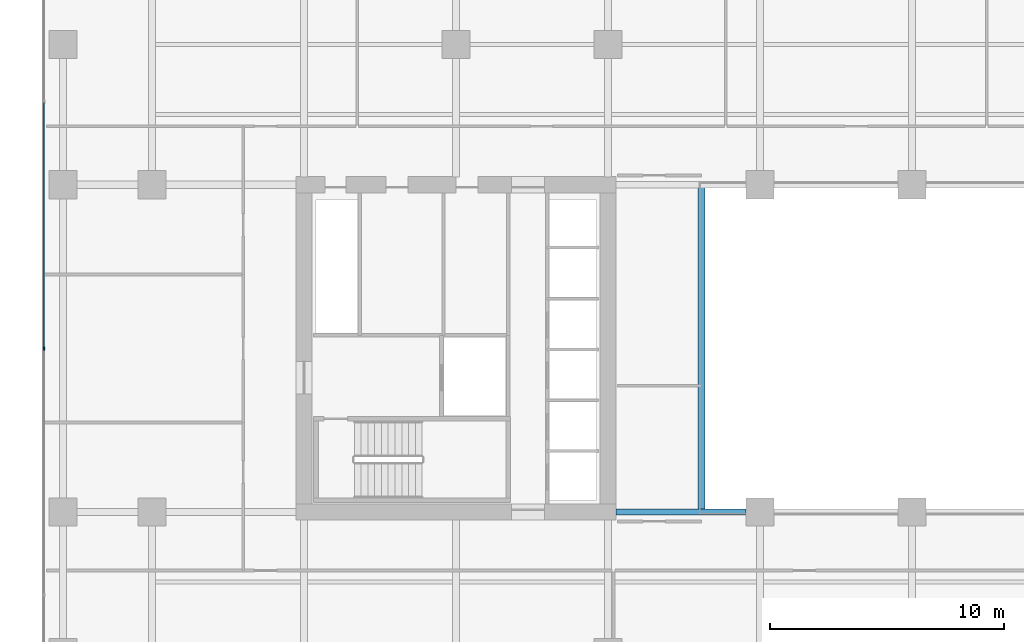
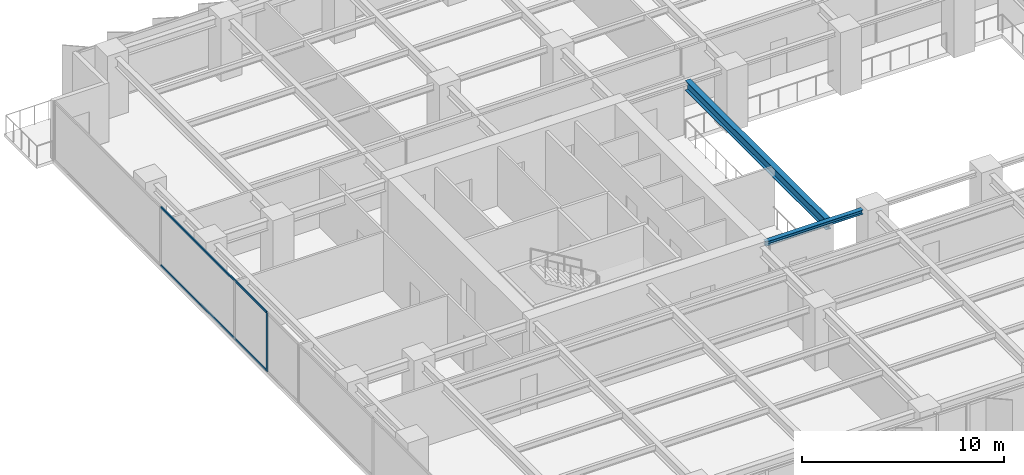
# One storey, part 4 of 19: 3 members, 2 beams, 1 element without a shape of its own.
"""IFC4 building model written with IfcOpenShell, lengths in metres."""

from ifc_helpers import new_model, si_unit, direction, frame, origin, origin_2d, place, context, subcontext, project, spatial, rectangle, i_section, extrude, material, layer, layer_set, material_profile, profile_set, type_object, element, aggregate, save


model = new_model("IFC4")

# Units and contexts
model_context = context("Model", 3, precision=1e-05, world=origin(), true_north=direction((0.0, 1.0)))
body_context = subcontext(model_context, "Body", "Model", "MODEL_VIEW")
ifc_project = project(units=[si_unit("LENGTHUNIT", "METRE"), si_unit("AREAUNIT", "SQUARE_METRE"), si_unit("VOLUMEUNIT", "CUBIC_METRE"), si_unit("PLANEANGLEUNIT", "RADIAN"), si_unit("MASSUNIT", "GRAM", prefix="KILO")], contexts=[model_context])

# Site, building, storey
site_placement = place(None, origin())
site = spatial("IfcSite", under=ifc_project, at=site_placement, CompositionType="ELEMENT")
building_placement = place(site_placement, origin())
building = spatial("IfcBuilding", under=site, at=building_placement, Name="Putna Gate Headquarters", CompositionType="ELEMENT")
storey_placement = place(building_placement, frame((0.0, 0.0, 86.0)))
storey = spatial("IfcBuildingStorey", under=building, at=storey_placement, Name="L20", CompositionType="ELEMENT", Elevation=86.0)

# Beams
ifc_material_1 = material(Name="Steel S355J2", Category="steel")
ifc_material_profile_1 = material_profile(ifc_material_1, i_section(OverallWidth=0.260009765625, OverallDepth=0.260009765625, WebThickness=0.010009765625, FlangeThickness=0.017578125, at=origin_2d()), Name="Steel S355J2")
ifc_profile_set_1 = profile_set([ifc_material_profile_1], Name="Steel S355J2")
beam_type_1 = type_object("IfcBeamType", Name="BM-ATRIUM-HEB260", PredefinedType="BEAM", material=ifc_profile_set_1)
beam_1_placement = place(storey_placement, frame((26.3349609375, 19.0, 3.43505859375), z_axis=(1.0, 0.0, 0.0), x_axis=(0.0, 1.0, 0.0)))
element("IfcBeam", 1, at=beam_1_placement, inside=storey, type_object=beam_type_1, Name="L20 Atrium Edge Beam AS1", PredefinedType="BEAM", context=body_context, shape_type="SweptSolid", body=[
    extrude(i_section(OverallWidth=0.260009765625, OverallDepth=0.260009765625, WebThickness=0.010009765625, FlangeThickness=0.017578125, at=origin_2d()), origin(), (0.0, 0.0, 1.0), 5.5771484375),
])
ifc_material_profile_2 = material_profile(ifc_material_1, i_section(OverallWidth=0.300048828125, OverallDepth=0.60009765625, WebThickness=0.015380859375, FlangeThickness=0.030029296875, at=origin_2d()), Name="Steel S355J2")
ifc_profile_set_2 = profile_set([ifc_material_profile_2], Name="Steel S355J2")
beam_type_2 = type_object("IfcBeamType", Name="BM-GIRD-Z2-HEB600", PredefinedType="USERDEFINED", material=ifc_profile_set_2)
beam_2_placement = place(storey_placement, frame((30.0, 19.010009765625, 3.264892578125), z_axis=(0.0, 1.0, 0.0), x_axis=(-1.0, 0.0, 0.0)))
element("IfcBeam", 2, at=beam_2_placement, inside=storey, type_object=beam_type_2, Name="L20 Atrium Trim Girder AW", ObjectType="GIRDER", PredefinedType="USERDEFINED", context=body_context, shape_type="SweptSolid", body=[
    extrude(i_section(OverallWidth=0.300048828125, OverallDepth=0.60009765625, WebThickness=0.015380859375, FlangeThickness=0.030029296875, at=origin_2d()), origin(), (0.0, 0.0, 1.0), 13.97998046875),
])

# Curtain wall, members
ifc_material_2 = material(Name="Anodised bronze aluminium curtain wall", Category="aluminium")
ifc_layer = layer(ifc_material_2, 0.159912109375)
ifc_layer_set = layer_set([ifc_layer], Name="Anodised bronze aluminium curtain wall")
curtain_wall_type = type_object("IfcCurtainWallType", Name="CW-SYS-Z2", PredefinedType="USERDEFINED", material=ifc_layer_set)
curtain_wall_placement = place(storey_placement, origin())
curtain_wall = element("IfcCurtainWall", 3, at=curtain_wall_placement, inside=storey, type_object=curtain_wall_type, Name="L20 West Curtain Wall", ObjectType="STICK CURTAIN WALL", PredefinedType="USERDEFINED")
ifc_material_3 = material(Name="Anodised bronze aluminium EN AW-6060", Category="aluminium")
ifc_material_profile_3 = material_profile(ifc_material_3, rectangle(XDim=0.06494140625, YDim=0.159912109375, at=origin_2d()), Name="Anodised bronze aluminium EN AW-6060")
ifc_profile_set_3 = profile_set([ifc_material_profile_3], Name="Anodised bronze aluminium EN AW-6060")
member_type_1 = type_object("IfcMemberType", Name="MULL-CWM-2", PredefinedType="MULLION", material=ifc_profile_set_3)
member_1_placement = place(storey_placement, frame((1.8798828125, 26.0, 0.0), z_axis=(0.0, 0.0, 1.0), x_axis=(-1.0, 0.0, 0.0)))
member_1 = element("IfcMember", 4, at=member_1_placement, type_object=member_type_1, Name="CWS-2 mullion 3", PredefinedType="MULLION", context=body_context, shape_type="SweptSolid", body=[
    extrude(rectangle(XDim=0.06494140625, YDim=0.159912109375, at=origin_2d()), origin(), (0.0, 0.0, 1.0), 3.56494140625),
])
ifc_material_profile_4 = material_profile(ifc_material_3, rectangle(XDim=0.06494140625, YDim=0.1201171875, at=origin_2d()), Name="Anodised bronze aluminium EN AW-6060")
ifc_profile_set_4 = profile_set([ifc_material_profile_4], Name="Anodised bronze aluminium EN AW-6060")
member_type_2 = type_object("IfcMemberType", Name="TRAN-CWT-2", PredefinedType="USERDEFINED", material=ifc_profile_set_4)
member_2_placement = place(storey_placement, frame((1.8798828125, 26.032470703125, 0.032470703125), z_axis=(0.0, 1.0, 0.0), x_axis=(-1.0, 0.0, 0.0)))
member_2 = element("IfcMember", 5, at=member_2_placement, type_object=member_type_2, Name="CWS-2 transom 3.1", ObjectType="TRANSOM", PredefinedType="USERDEFINED", context=body_context, shape_type="SweptSolid", body=[
    extrude(rectangle(XDim=0.06494140625, YDim=0.1201171875, at=origin_2d()), origin(), (0.0, 0.0, 1.0), 10.485107421875),
])
member_3_placement = place(storey_placement, frame((1.8798828125, 26.032470703125, 3.532470703125), z_axis=(0.0, 1.0, 0.0), x_axis=(-1.0, 0.0, 0.0)))
member_3 = element("IfcMember", 6, at=member_3_placement, type_object=member_type_2, Name="CWS-2 transom 3.2", ObjectType="TRANSOM", PredefinedType="USERDEFINED", context=body_context, shape_type="SweptSolid", body=[
    extrude(rectangle(XDim=0.06494140625, YDim=0.1201171875, at=origin_2d()), origin(), (0.0, 0.0, 1.0), 10.485107421875),
])
aggregate(curtain_wall, [member_1, member_2, member_3])

save(model, "model.ifc")
